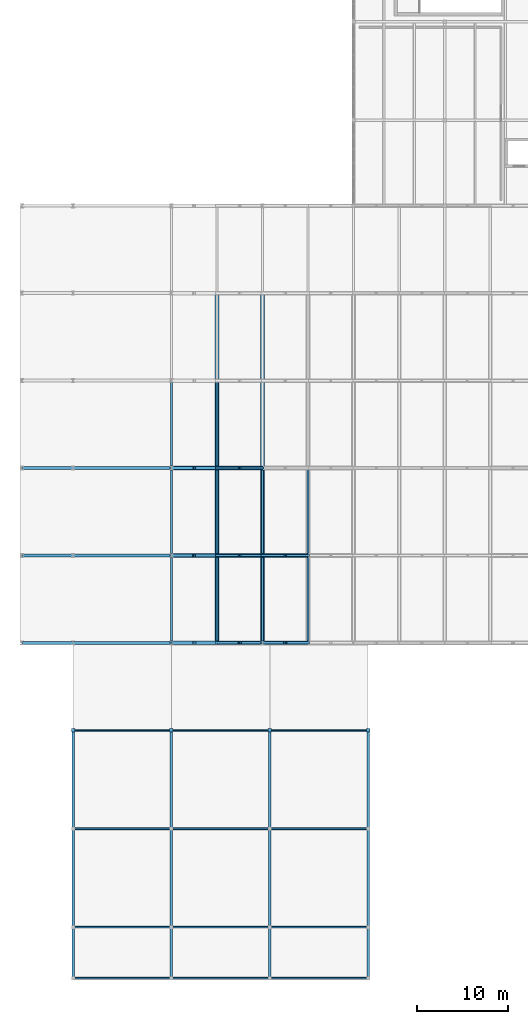
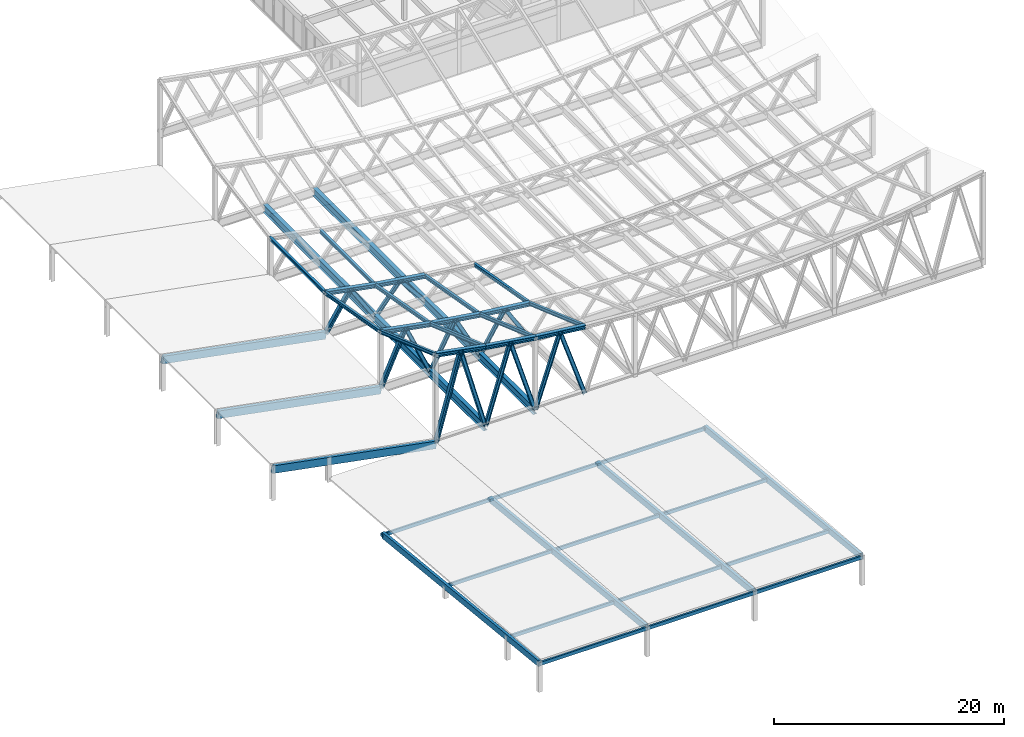
# One storey, part 7 of 40: 53 members, 4 columns, 2 beams, 2 elements without a shape of their own.
"""IFC4 building model written with IfcOpenShell, lengths in metres."""

from ifc_helpers import new_model, si_unit, direction, frame, origin, origin_2d, place, context, subcontext, project, spatial, rectangle, i_section, extrude, material, material_profile, profile_set, type_object, element, aggregate, save


model = new_model("IFC4")

# Units and contexts
model_context = context("Model", 3, precision=1e-05, world=origin(), true_north=direction((0.0, 1.0)))
body_context = subcontext(model_context, "Body", "Model", "MODEL_VIEW")
ifc_project = project(units=[si_unit("LENGTHUNIT", "METRE"), si_unit("AREAUNIT", "SQUARE_METRE"), si_unit("VOLUMEUNIT", "CUBIC_METRE"), si_unit("PLANEANGLEUNIT", "RADIAN"), si_unit("MASSUNIT", "GRAM", prefix="KILO")], contexts=[model_context])

# Site, building, storey
site_placement = place(None, origin())
site = spatial("IfcSite", under=ifc_project, at=site_placement, CompositionType="ELEMENT")
building_placement = place(site_placement, origin())
building = spatial("IfcBuilding", under=site, at=building_placement, Name="Veldera Park Congress Hotel", CompositionType="ELEMENT")
storey_placement = place(building_placement, frame((0.0, 0.0, 16.199951171875)))
storey = spatial("IfcBuildingStorey", under=building, at=storey_placement, Name="L03", CompositionType="ELEMENT", Elevation=16.199951171875)

# Columns
ifc_material_1 = material(Name="Glulam GL28h (NDS 24F-V4)", Category="wood")
ifc_material_profile_1 = material_profile(ifc_material_1, rectangle(XDim=0.389892578125, YDim=0.389892578125, at=origin_2d()), Name="GL28h 390x390")
ifc_profile_set_1 = profile_set([ifc_material_profile_1], Name="Glulam GL28h (NDS 24F-V4)")
column_type = type_object("IfcColumnType", Name="COL-GL36E", PredefinedType="COLUMN", material=ifc_profile_set_1)
for number, where, z_axis, x_axis, name in (
    (1, (-78.199951171875, -30.60009765625, 0.0), (0.0, 0.0, 1.0), (1.0, 0.0, 0.0), "L03 Column COL-GL36E (-78.2,-30.6)"),
    (2, (-67.39990234375, -30.60009765625, 0.0), (0.0, 0.0, 1.0), (1.0, 0.0, 0.0), "L03 Column COL-GL36E (-67.4,-30.6)"),
    (3, (-56.60009765625, -30.60009765625, 0.0), (0.0, 0.0, 1.0), (1.0, 0.0, 0.0), "L03 Column COL-GL36E (-56.6,-30.6)"),
    (4, (-45.800048828125, -30.60009765625, 0.0), (0.0, 0.0, 1.0), (1.0, 0.0, 0.0), "L03 Column COL-GL36E (-45.8,-30.6)"),
):
    element("IfcColumn", number, at=place(storey_placement, frame(where, z_axis=z_axis, x_axis=x_axis)), inside=storey, type_object=column_type, Name=name, PredefinedType="COLUMN", context=body_context, shape_type="SweptSolid", body=[
        extrude(rectangle(XDim=0.389892578125, YDim=0.389892578125, at=origin_2d()), origin(), (0.0, 0.0, 1.0), 0.25),
    ])

# Beams
ifc_material_2 = material(Name="Steel ASTM A992 Gr.50", Category="steel")
ifc_material_profile_2 = material_profile(ifc_material_2, i_section(OverallWidth=0.40087890625, OverallDepth=0.85498046875, WebThickness=0.018310546875, FlangeThickness=0.029296875, at=origin_2d()), Name="W33X201")
ifc_profile_set_2 = profile_set([ifc_material_profile_2], Name="Steel ASTM A992 Gr.50")
beam_type = type_object("IfcBeamType", Name="BM-W33", PredefinedType="BEAM", material=ifc_profile_set_2)
for number, where, z_axis, x_axis, name in (
    (5, (-62.39990234375, -21.0, 0.25), (0.0, 1.0, 0.0), (-1.0, 0.0, 0.0), "Plenary Space Frame Transverse Spine Girder 1"),
    (6, (-57.39990234375, -21.0, 0.25), (0.0, 1.0, 0.0), (-1.0, 0.0, 0.0), "Plenary Space Frame Transverse Spine Girder 2"),
):
    element("IfcBeam", number, at=place(storey_placement, frame(where, z_axis=z_axis, x_axis=x_axis)), inside=storey, type_object=beam_type, Name=name, PredefinedType="BEAM", context=body_context, shape_type="SweptSolid", body=[
        extrude(i_section(OverallWidth=0.40087890625, OverallDepth=0.85498046875, WebThickness=0.018310546875, FlangeThickness=0.029296875, at=origin_2d()), origin(), (0.0, 0.0, 1.0), 38.39990234375),
    ])

# Roof, members
ifc_material_3 = material(Name="Cross-laminated timber CLT V2M1.1", Category="wood")
roof_type_1 = type_object("IfcRoofType", Name="ROOF-BUT", PredefinedType="BUTTERFLY_ROOF", material=ifc_material_3)
roof_1_placement = place(storey_placement, origin())
roof_1 = element("IfcRoof", 7, at=roof_1_placement, inside=storey, type_object=roof_type_1, Name="Biophilic Spa Butterfly Timber Roof", PredefinedType="BUTTERFLY_ROOF")
ifc_material_profile_3 = material_profile(ifc_material_1, rectangle(XDim=0.179931640625, YDim=0.360107421875, at=origin_2d()), Name="GL28h 180x360")
ifc_profile_set_3 = profile_set([ifc_material_profile_3], Name="Glulam GL28h (NDS 24F-V4)")
member_type_1 = type_object("IfcMemberType", Name="PUR-GL360", PredefinedType="PURLIN", material=ifc_profile_set_3)
member_1_placement = place(storey_placement, frame((-78.199951171875, -57.800048828125, 2.900146484375), z_axis=(1.0, 0.0, 0.0), x_axis=(0.0, 1.0, 0.0)))
member_1 = element("IfcMember", 8, at=member_1_placement, type_object=member_type_1, Name="Spa Roof Glulam Purlin 1-57", PredefinedType="PURLIN", context=body_context, shape_type="SweptSolid", body=[
    extrude(rectangle(XDim=0.179931640625, YDim=0.360107421875, at=origin_2d()), origin(), (0.0, 0.0, 1.0), 10.800048828125),
])
member_2_placement = place(storey_placement, frame((-78.199951171875, -52.199951171875, 2.300048828125), z_axis=(1.0, 0.0, 0.0), x_axis=(0.0, 1.0, 0.0)))
member_2 = element("IfcMember", 9, at=member_2_placement, type_object=member_type_1, Name="Spa Roof Glulam Purlin 1-52", PredefinedType="PURLIN", context=body_context, shape_type="SweptSolid", body=[
    extrude(rectangle(XDim=0.179931640625, YDim=0.360107421875, at=origin_2d()), origin(), (0.0, 0.0, 1.0), 10.800048828125),
])
member_3_placement = place(storey_placement, frame((-78.199951171875, -41.39990234375, 1.199951171875), z_axis=(1.0, 0.0, 0.0), x_axis=(0.0, 1.0, 0.0)))
member_3 = element("IfcMember", 10, at=member_3_placement, type_object=member_type_1, Name="Spa Roof Glulam Purlin 1-41", PredefinedType="PURLIN", context=body_context, shape_type="SweptSolid", body=[
    extrude(rectangle(XDim=0.179931640625, YDim=0.360107421875, at=origin_2d()), origin(), (0.0, 0.0, 1.0), 10.800048828125),
])
member_4_placement = place(storey_placement, frame((-78.199951171875, -30.60009765625, 0.10009765625), z_axis=(1.0, 0.0, 0.0), x_axis=(0.0, 1.0, 0.0)))
member_4 = element("IfcMember", 11, at=member_4_placement, type_object=member_type_1, Name="Spa Roof Glulam Purlin 1-30", PredefinedType="PURLIN", context=body_context, shape_type="SweptSolid", body=[
    extrude(rectangle(XDim=0.179931640625, YDim=0.360107421875, at=origin_2d()), origin(), (0.0, 0.0, 1.0), 10.800048828125),
])
member_5_placement = place(storey_placement, frame((-67.39990234375, -57.800048828125, 2.900146484375), z_axis=(1.0, 0.0, 0.0), x_axis=(0.0, 1.0, 0.0)))
member_5 = element("IfcMember", 12, at=member_5_placement, type_object=member_type_1, Name="Spa Roof Glulam Purlin 2-57", PredefinedType="PURLIN", context=body_context, shape_type="SweptSolid", body=[
    extrude(rectangle(XDim=0.179931640625, YDim=0.360107421875, at=origin_2d()), origin(), (0.0, 0.0, 1.0), 10.7998046875),
])
member_6_placement = place(storey_placement, frame((-67.39990234375, -52.199951171875, 2.300048828125), z_axis=(1.0, 0.0, 0.0), x_axis=(0.0, 1.0, 0.0)))
member_6 = element("IfcMember", 13, at=member_6_placement, type_object=member_type_1, Name="Spa Roof Glulam Purlin 2-52", PredefinedType="PURLIN", context=body_context, shape_type="SweptSolid", body=[
    extrude(rectangle(XDim=0.179931640625, YDim=0.360107421875, at=origin_2d()), origin(), (0.0, 0.0, 1.0), 10.7998046875),
])
member_7_placement = place(storey_placement, frame((-67.39990234375, -41.39990234375, 1.199951171875), z_axis=(1.0, 0.0, 0.0), x_axis=(0.0, 1.0, 0.0)))
member_7 = element("IfcMember", 14, at=member_7_placement, type_object=member_type_1, Name="Spa Roof Glulam Purlin 2-41", PredefinedType="PURLIN", context=body_context, shape_type="SweptSolid", body=[
    extrude(rectangle(XDim=0.179931640625, YDim=0.360107421875, at=origin_2d()), origin(), (0.0, 0.0, 1.0), 10.7998046875),
])
member_8_placement = place(storey_placement, frame((-67.39990234375, -30.60009765625, 0.10009765625), z_axis=(1.0, 0.0, 0.0), x_axis=(0.0, 1.0, 0.0)))
member_8 = element("IfcMember", 15, at=member_8_placement, type_object=member_type_1, Name="Spa Roof Glulam Purlin 2-30", PredefinedType="PURLIN", context=body_context, shape_type="SweptSolid", body=[
    extrude(rectangle(XDim=0.179931640625, YDim=0.360107421875, at=origin_2d()), origin(), (0.0, 0.0, 1.0), 10.7998046875),
])
member_9_placement = place(storey_placement, frame((-56.60009765625, -57.800048828125, 2.900146484375), z_axis=(1.0, 0.0, 0.0), x_axis=(0.0, 1.0, 0.0)))
member_9 = element("IfcMember", 16, at=member_9_placement, type_object=member_type_1, Name="Spa Roof Glulam Purlin 3-57", PredefinedType="PURLIN", context=body_context, shape_type="SweptSolid", body=[
    extrude(rectangle(XDim=0.179931640625, YDim=0.360107421875, at=origin_2d()), origin(), (0.0, 0.0, 1.0), 10.800048828125),
])
member_10_placement = place(storey_placement, frame((-56.60009765625, -52.199951171875, 2.300048828125), z_axis=(1.0, 0.0, 0.0), x_axis=(0.0, 1.0, 0.0)))
member_10 = element("IfcMember", 17, at=member_10_placement, type_object=member_type_1, Name="Spa Roof Glulam Purlin 3-52", PredefinedType="PURLIN", context=body_context, shape_type="SweptSolid", body=[
    extrude(rectangle(XDim=0.179931640625, YDim=0.360107421875, at=origin_2d()), origin(), (0.0, 0.0, 1.0), 10.800048828125),
])
member_11_placement = place(storey_placement, frame((-56.60009765625, -41.39990234375, 1.199951171875), z_axis=(1.0, 0.0, 0.0), x_axis=(0.0, 1.0, 0.0)))
member_11 = element("IfcMember", 18, at=member_11_placement, type_object=member_type_1, Name="Spa Roof Glulam Purlin 3-41", PredefinedType="PURLIN", context=body_context, shape_type="SweptSolid", body=[
    extrude(rectangle(XDim=0.179931640625, YDim=0.360107421875, at=origin_2d()), origin(), (0.0, 0.0, 1.0), 10.800048828125),
])
member_12_placement = place(storey_placement, frame((-56.60009765625, -30.60009765625, 0.10009765625), z_axis=(1.0, 0.0, 0.0), x_axis=(0.0, 1.0, 0.0)))
member_12 = element("IfcMember", 19, at=member_12_placement, type_object=member_type_1, Name="Spa Roof Glulam Purlin 3-30", PredefinedType="PURLIN", context=body_context, shape_type="SweptSolid", body=[
    extrude(rectangle(XDim=0.179931640625, YDim=0.360107421875, at=origin_2d()), origin(), (0.0, 0.0, 1.0), 10.800048828125),
])
ifc_material_profile_4 = material_profile(ifc_material_1, rectangle(XDim=0.280029296875, YDim=0.639892578125, at=origin_2d()), Name="GL28h 280x640")
ifc_profile_set_4 = profile_set([ifc_material_profile_4], Name="Glulam GL28h (NDS 24F-V4)")
member_type_2 = type_object("IfcMemberType", Name="RAF-GL640", PredefinedType="RAFTER", material=ifc_profile_set_4)
member_13_placement = place(storey_placement, frame((-78.199951171875, -57.800048828125, 2.949951171875), z_axis=(0.0, 0.99455596321, -0.104203819718), x_axis=(-1.0, 0.0, 0.0)))
member_13 = element("IfcMember", 20, at=member_13_placement, type_object=member_type_2, Name="Spa Butterfly Glulam Rafter 1", PredefinedType="RAFTER", context=body_context, shape_type="SweptSolid", body=[
    extrude(rectangle(XDim=0.280029296875, YDim=0.639892578125, at=origin_2d()), origin(), (0.0, 0.0, 1.0), 27.348876953125),
])
member_14_placement = place(storey_placement, frame((-67.39990234375, -57.800048828125, 2.949951171875), z_axis=(0.0, 0.99455596321, -0.104203819718), x_axis=(-1.0, 0.0, 0.0)))
member_14 = element("IfcMember", 21, at=member_14_placement, type_object=member_type_2, Name="Spa Butterfly Glulam Rafter 2", PredefinedType="RAFTER", context=body_context, shape_type="SweptSolid", body=[
    extrude(rectangle(XDim=0.280029296875, YDim=0.639892578125, at=origin_2d()), origin(), (0.0, 0.0, 1.0), 27.348876953125),
])
member_15_placement = place(storey_placement, frame((-56.60009765625, -57.800048828125, 2.949951171875), z_axis=(0.0, 0.99455596321, -0.104203819718), x_axis=(-1.0, 0.0, 0.0)))
member_15 = element("IfcMember", 22, at=member_15_placement, type_object=member_type_2, Name="Spa Butterfly Glulam Rafter 3", PredefinedType="RAFTER", context=body_context, shape_type="SweptSolid", body=[
    extrude(rectangle(XDim=0.280029296875, YDim=0.639892578125, at=origin_2d()), origin(), (0.0, 0.0, 1.0), 27.348876953125),
])
member_16_placement = place(storey_placement, frame((-45.800048828125, -57.800048828125, 2.949951171875), z_axis=(0.0, 0.99455596321, -0.104203819718), x_axis=(-1.0, 0.0, 0.0)))
member_16 = element("IfcMember", 23, at=member_16_placement, type_object=member_type_2, Name="Spa Butterfly Glulam Rafter 4", PredefinedType="RAFTER", context=body_context, shape_type="SweptSolid", body=[
    extrude(rectangle(XDim=0.280029296875, YDim=0.639892578125, at=origin_2d()), origin(), (0.0, 0.0, 1.0), 27.348876953125),
])
aggregate(roof_1, [member_13, member_14, member_15, member_16, member_1, member_2, member_3, member_4, member_5, member_6, member_7, member_8, member_9, member_10, member_11, member_12])

# Members
ifc_material_profile_5 = material_profile(ifc_material_1, rectangle(XDim=0.31494140625, YDim=0.800048828125, at=origin_2d()), Name="GL28h 315x800")
ifc_profile_set_5 = profile_set([ifc_material_profile_5], Name="Glulam GL28h (NDS 24F-V4)")
member_type_3 = type_object("IfcMemberType", Name="RAF-GL760E", PredefinedType="RAFTER", material=ifc_profile_set_5)
for number, where, z_axis, x_axis, name in (
    (24, (-83.800048828125, -21.0, 3.25), (0.982601714752, 0.0, -0.185725254517), (0.0, 1.0, 0.0), "Plenary West Canopy Rafter 1"),
    (25, (-83.800048828125, -11.39990234375, 3.25), (0.982601714752, 0.0, -0.185725254517), (0.0, 1.0, 0.0), "Plenary West Canopy Rafter 2"),
    (26, (-83.800048828125, -1.800048828125, 3.25), (0.982601714752, 0.0, -0.185725254517), (0.0, 1.0, 0.0), "Plenary West Canopy Rafter 3"),
):
    element("IfcMember", number, at=place(storey_placement, frame(where, z_axis=z_axis, x_axis=x_axis)), inside=storey, type_object=member_type_3, Name=name, PredefinedType="RAFTER", context=body_context, shape_type="SweptSolid", body=[
        extrude(rectangle(XDim=0.31494140625, YDim=0.800048828125, at=origin_2d()), origin(), (0.0, 0.0, 1.0), 16.6904296875),
    ])

# Roof, members
roof_type_2 = type_object("IfcRoofType", Name="ROOF-PAV", PredefinedType="PAVILION_ROOF", material=ifc_material_3)
roof_2_placement = place(storey_placement, origin())
roof_2 = element("IfcRoof", 27, at=roof_2_placement, inside=storey, type_object=roof_type_2, Name="Plenary Congress Pavilion Sweeping Space Frame Roof", PredefinedType="PAVILION_ROOF")
ifc_material_profile_6 = material_profile(ifc_material_2, i_section(OverallWidth=0.39697265625, OverallDepth=0.386962890625, WebThickness=0.02099609375, FlangeThickness=0.033203125, at=origin_2d()), Name="W14X176")
ifc_profile_set_6 = profile_set([ifc_material_profile_6], Name="Steel ASTM A992 Gr.50")
member_type_4 = type_object("IfcMemberType", Name="TR-CHD176", PredefinedType="CHORD", material=ifc_profile_set_6)
member_17_placement = place(storey_placement, frame((-57.39990234375, -21.0, 7.98486328125), z_axis=(0.993731316159, 0.0, -0.111794773068), x_axis=(0.0, 1.0, 0.0)))
member_17 = element("IfcMember", 28, at=member_17_placement, type_object=member_type_4, Name="Plenary Roof Space Frame Top Chord 3", PredefinedType="CHORD", context=body_context, shape_type="SweptSolid", body=[
    extrude(i_section(OverallWidth=0.39697265625, OverallDepth=0.386962890625, WebThickness=0.02099609375, FlangeThickness=0.033203125, at=origin_2d()), origin(), (0.0, 0.0, 1.0), 5.031494140625),
])
member_18_placement = place(storey_placement, frame((-57.39990234375, -11.39990234375, 4.59814453125), z_axis=(0.993731316159, 0.0, -0.111794773068), x_axis=(0.0, 1.0, 0.0)))
member_18 = element("IfcMember", 29, at=member_18_placement, type_object=member_type_4, Name="Plenary Roof Space Frame Top Chord 14", PredefinedType="CHORD", context=body_context, shape_type="SweptSolid", body=[
    extrude(i_section(OverallWidth=0.39697265625, OverallDepth=0.386962890625, WebThickness=0.02099609375, FlangeThickness=0.033203125, at=origin_2d()), origin(), (0.0, 0.0, 1.0), 5.031494140625),
])
ifc_material_profile_7 = material_profile(ifc_material_2, i_section(OverallWidth=0.40087890625, OverallDepth=0.39892578125, WebThickness=0.02490234375, FlangeThickness=0.03955078125, at=origin_2d()), Name="W14X211")
ifc_profile_set_7 = profile_set([ifc_material_profile_7], Name="Steel ASTM A992 Gr.50")
member_type_5 = type_object("IfcMemberType", Name="TR-CHD211", PredefinedType="CHORD", material=ifc_profile_set_7)
member_19_placement = place(storey_placement, frame((-62.39990234375, -21.0, 8.736083984375), z_axis=(0.988900906947, 0.0, -0.148576566927), x_axis=(0.0, 1.0, 0.0)))
member_19 = element("IfcMember", 30, at=member_19_placement, type_object=member_type_5, Name="Plenary Roof Space Frame Top Chord 2", PredefinedType="CHORD", context=body_context, shape_type="SweptSolid", body=[
    extrude(i_section(OverallWidth=0.40087890625, OverallDepth=0.39892578125, WebThickness=0.02490234375, FlangeThickness=0.03955078125, at=origin_2d()), origin(), (0.0, 0.0, 1.0), 5.05615234375),
])
member_20_placement = place(storey_placement, frame((-62.39990234375, -11.39990234375, 5.349365234375), z_axis=(0.988900906947, 0.0, -0.148576566927), x_axis=(0.0, 1.0, 0.0)))
member_20 = element("IfcMember", 31, at=member_20_placement, type_object=member_type_5, Name="Plenary Roof Space Frame Top Chord 13", PredefinedType="CHORD", context=body_context, shape_type="SweptSolid", body=[
    extrude(i_section(OverallWidth=0.40087890625, OverallDepth=0.39892578125, WebThickness=0.02490234375, FlangeThickness=0.03955078125, at=origin_2d()), origin(), (0.0, 0.0, 1.0), 5.05615234375),
])
member_21_placement = place(storey_placement, frame((-62.39990234375, -1.800048828125, 3.65576171875), z_axis=(0.988900906947, 0.0, -0.148576566927), x_axis=(0.0, 1.0, 0.0)))
member_21 = element("IfcMember", 32, at=member_21_placement, type_object=member_type_5, Name="Plenary Roof Space Frame Top Chord 24", PredefinedType="CHORD", context=body_context, shape_type="SweptSolid", body=[
    extrude(i_section(OverallWidth=0.40087890625, OverallDepth=0.39892578125, WebThickness=0.02490234375, FlangeThickness=0.03955078125, at=origin_2d()), origin(), (0.0, 0.0, 1.0), 5.05615234375),
])
ifc_material_profile_8 = material_profile(ifc_material_2, i_section(OverallWidth=0.404052734375, OverallDepth=0.406982421875, WebThickness=0.027099609375, FlangeThickness=0.043701171875, at=origin_2d()), Name="W14X233")
ifc_profile_set_8 = profile_set([ifc_material_profile_8], Name="Steel ASTM A992 Gr.50")
member_type_6 = type_object("IfcMemberType", Name="TR-CHD233", PredefinedType="CHORD", material=ifc_profile_set_8)
member_22_placement = place(storey_placement, frame((-67.39990234375, -21.0, 9.676025390625), z_axis=(0.982785156753, 0.0, -0.184752092456), x_axis=(0.0, 1.0, 0.0)))
member_22 = element("IfcMember", 33, at=member_22_placement, type_object=member_type_6, Name="Plenary Roof Space Frame Top Chord 1", PredefinedType="CHORD", context=body_context, shape_type="SweptSolid", body=[
    extrude(i_section(OverallWidth=0.404052734375, OverallDepth=0.406982421875, WebThickness=0.027099609375, FlangeThickness=0.043701171875, at=origin_2d()), origin(), (0.0, 0.0, 1.0), 5.087646484375),
])
member_23_placement = place(storey_placement, frame((-67.39990234375, -11.39990234375, 6.2890625), z_axis=(0.982793868915, 0.0, -0.184705742258), x_axis=(0.0, 1.0, 0.0)))
member_23 = element("IfcMember", 34, at=member_23_placement, type_object=member_type_6, Name="Plenary Roof Space Frame Top Chord 12", PredefinedType="CHORD", context=body_context, shape_type="SweptSolid", body=[
    extrude(i_section(OverallWidth=0.404052734375, OverallDepth=0.406982421875, WebThickness=0.027099609375, FlangeThickness=0.043701171875, at=origin_2d()), origin(), (0.0, 0.0, 1.0), 5.087646484375),
])
member_24_placement = place(storey_placement, frame((-67.39990234375, -1.800048828125, 4.595703125), z_axis=(0.982785156753, 0.0, -0.184752092456), x_axis=(0.0, 1.0, 0.0)))
member_24 = element("IfcMember", 35, at=member_24_placement, type_object=member_type_6, Name="Plenary Roof Space Frame Top Chord 23", PredefinedType="CHORD", context=body_context, shape_type="SweptSolid", body=[
    extrude(i_section(OverallWidth=0.404052734375, OverallDepth=0.406982421875, WebThickness=0.027099609375, FlangeThickness=0.043701171875, at=origin_2d()), origin(), (0.0, 0.0, 1.0), 5.087646484375),
])
ifc_material_profile_9 = material_profile(ifc_material_2, i_section(OverallWidth=0.25390625, OverallDepth=0.35595703125, WebThickness=0.010498046875, FlangeThickness=0.018310546875, at=origin_2d()), Name="W14X68")
ifc_profile_set_9 = profile_set([ifc_material_profile_9], Name="Steel ASTM A992 Gr.50")
member_type_7 = type_object("IfcMemberType", Name="TR-WEB68", PredefinedType="MEMBER", material=ifc_profile_set_9)
member_25_placement = place(storey_placement, frame((-57.39990234375, -21.0, 0.25), z_axis=(0.317997317816, 0.0, 0.948091612589), x_axis=(0.0, 1.0, 0.0)))
member_25 = element("IfcMember", 36, at=member_25_placement, type_object=member_type_7, Name="Plenary Roof Space Frame Web A 3", PredefinedType="MEMBER", context=body_context, shape_type="SweptSolid", body=[
    extrude(i_section(OverallWidth=0.25390625, OverallDepth=0.35595703125, WebThickness=0.010498046875, FlangeThickness=0.018310546875, at=origin_2d()), origin(), (0.0, 0.0, 1.0), 7.86181640625),
])
member_26_placement = place(storey_placement, frame((-52.39990234375, -21.0, 0.25), z_axis=(-0.317997317816, 0.0, 0.948091612589), x_axis=(0.0, -1.0, 0.0)))
member_26 = element("IfcMember", 37, at=member_26_placement, type_object=member_type_7, Name="Plenary Roof Space Frame Web B 3", PredefinedType="MEMBER", context=body_context, shape_type="SweptSolid", body=[
    extrude(i_section(OverallWidth=0.25390625, OverallDepth=0.35595703125, WebThickness=0.010498046875, FlangeThickness=0.018310546875, at=origin_2d()), origin(), (0.0, 0.0, 1.0), 7.86181640625),
])
member_27_placement = place(storey_placement, frame((-57.39990234375, -11.39990234375, 0.25), z_axis=(0.523709295361, 0.0, 0.851897044221), x_axis=(0.0, 1.0, 0.0)))
member_27 = element("IfcMember", 38, at=member_27_placement, type_object=member_type_7, Name="Plenary Roof Space Frame Web A 14", PredefinedType="MEMBER", context=body_context, shape_type="SweptSolid", body=[
    extrude(i_section(OverallWidth=0.25390625, OverallDepth=0.35595703125, WebThickness=0.010498046875, FlangeThickness=0.018310546875, at=origin_2d()), origin(), (0.0, 0.0, 1.0), 4.773681640625),
])
member_28_placement = place(storey_placement, frame((-52.39990234375, -11.39990234375, 0.25), z_axis=(-0.523709295361, 0.0, 0.851897044221), x_axis=(0.0, -1.0, 0.0)))
member_28 = element("IfcMember", 39, at=member_28_placement, type_object=member_type_7, Name="Plenary Roof Space Frame Web B 14", PredefinedType="MEMBER", context=body_context, shape_type="SweptSolid", body=[
    extrude(i_section(OverallWidth=0.25390625, OverallDepth=0.35595703125, WebThickness=0.010498046875, FlangeThickness=0.018310546875, at=origin_2d()), origin(), (0.0, 0.0, 1.0), 4.773681640625),
])
member_29_placement = place(storey_placement, frame((-67.39990234375, -21.0, 9.676025390625), z_axis=(0.0, 0.943030616878, -0.332705959716), x_axis=(-1.0, 0.0, 0.0)))
member_29 = element("IfcMember", 40, at=member_29_placement, type_object=member_type_7, Name="Plenary Space Frame Cross Chord 67", PredefinedType="MEMBER", context=body_context, shape_type="SweptSolid", body=[
    extrude(i_section(OverallWidth=0.25390625, OverallDepth=0.35595703125, WebThickness=0.010498046875, FlangeThickness=0.018310546875, at=origin_2d()), origin(), (0.0, 0.0, 1.0), 10.179931640625),
])
member_30_placement = place(storey_placement, frame((-67.39990234375, -11.39990234375, 6.2890625), z_axis=(0.0, 0.984796414822, -0.173712467465), x_axis=(-1.0, 0.0, 0.0)))
member_30 = element("IfcMember", 41, at=member_30_placement, type_object=member_type_7, Name="Plenary Space Frame Cross Chord 68", PredefinedType="MEMBER", context=body_context, shape_type="SweptSolid", body=[
    extrude(i_section(OverallWidth=0.25390625, OverallDepth=0.35595703125, WebThickness=0.010498046875, FlangeThickness=0.018310546875, at=origin_2d()), origin(), (0.0, 0.0, 1.0), 9.748046875),
])
member_31_placement = place(storey_placement, frame((-67.39990234375, -1.800048828125, 4.595703125), z_axis=(0.0, 1.0, 0.0), x_axis=(-1.0, 0.0, 0.0)))
member_31 = element("IfcMember", 42, at=member_31_placement, type_object=member_type_7, Name="Plenary Space Frame Cross Chord 69", PredefinedType="MEMBER", context=body_context, shape_type="SweptSolid", body=[
    extrude(i_section(OverallWidth=0.25390625, OverallDepth=0.35595703125, WebThickness=0.010498046875, FlangeThickness=0.018310546875, at=origin_2d()), origin(), (0.0, 0.0, 1.0), 9.60009765625),
])
member_32_placement = place(storey_placement, frame((-62.39990234375, -21.0, 8.736083984375), z_axis=(0.0, 0.943038141178, -0.332684631871), x_axis=(-1.0, 0.0, 0.0)))
member_32 = element("IfcMember", 43, at=member_32_placement, type_object=member_type_7, Name="Plenary Space Frame Cross Chord 72", PredefinedType="MEMBER", context=body_context, shape_type="SweptSolid", body=[
    extrude(i_section(OverallWidth=0.25390625, OverallDepth=0.35595703125, WebThickness=0.010498046875, FlangeThickness=0.018310546875, at=origin_2d()), origin(), (0.0, 0.0, 1.0), 10.179931640625),
])
member_33_placement = place(storey_placement, frame((-62.39990234375, -11.39990234375, 5.349365234375), z_axis=(0.0, 0.984792130049, -0.173736756597), x_axis=(-1.0, 0.0, 0.0)))
member_33 = element("IfcMember", 44, at=member_33_placement, type_object=member_type_7, Name="Plenary Space Frame Cross Chord 73", PredefinedType="MEMBER", context=body_context, shape_type="SweptSolid", body=[
    extrude(i_section(OverallWidth=0.25390625, OverallDepth=0.35595703125, WebThickness=0.010498046875, FlangeThickness=0.018310546875, at=origin_2d()), origin(), (0.0, 0.0, 1.0), 9.748046875),
])
member_34_placement = place(storey_placement, frame((-62.39990234375, -1.800048828125, 3.65576171875), z_axis=(0.0, 1.0, 0.0), x_axis=(-1.0, 0.0, 0.0)))
member_34 = element("IfcMember", 45, at=member_34_placement, type_object=member_type_7, Name="Plenary Space Frame Cross Chord 74", PredefinedType="MEMBER", context=body_context, shape_type="SweptSolid", body=[
    extrude(i_section(OverallWidth=0.25390625, OverallDepth=0.35595703125, WebThickness=0.010498046875, FlangeThickness=0.018310546875, at=origin_2d()), origin(), (0.0, 0.0, 1.0), 9.60009765625),
])
member_35_placement = place(storey_placement, frame((-57.39990234375, -21.0, 7.98486328125), z_axis=(0.0, 0.943038141178, -0.332684631871), x_axis=(-1.0, 0.0, 0.0)))
member_35 = element("IfcMember", 46, at=member_35_placement, type_object=member_type_7, Name="Plenary Space Frame Cross Chord 77", PredefinedType="MEMBER", context=body_context, shape_type="SweptSolid", body=[
    extrude(i_section(OverallWidth=0.25390625, OverallDepth=0.35595703125, WebThickness=0.010498046875, FlangeThickness=0.018310546875, at=origin_2d()), origin(), (0.0, 0.0, 1.0), 10.179931640625),
])
member_36_placement = place(storey_placement, frame((-57.39990234375, -11.39990234375, 4.59814453125), z_axis=(0.0, 0.984792130049, -0.173736756597), x_axis=(-1.0, 0.0, 0.0)))
member_36 = element("IfcMember", 47, at=member_36_placement, type_object=member_type_7, Name="Plenary Space Frame Cross Chord 78", PredefinedType="MEMBER", context=body_context, shape_type="SweptSolid", body=[
    extrude(i_section(OverallWidth=0.25390625, OverallDepth=0.35595703125, WebThickness=0.010498046875, FlangeThickness=0.018310546875, at=origin_2d()), origin(), (0.0, 0.0, 1.0), 9.748046875),
])
member_37_placement = place(storey_placement, frame((-52.39990234375, -21.0, 7.42236328125), z_axis=(0.0, 0.943038141178, -0.332684631871), x_axis=(-1.0, 0.0, 0.0)))
member_37 = element("IfcMember", 48, at=member_37_placement, type_object=member_type_7, Name="Plenary Space Frame Cross Chord 82", PredefinedType="MEMBER", context=body_context, shape_type="SweptSolid", body=[
    extrude(i_section(OverallWidth=0.25390625, OverallDepth=0.35595703125, WebThickness=0.010498046875, FlangeThickness=0.018310546875, at=origin_2d()), origin(), (0.0, 0.0, 1.0), 10.179931640625),
])
member_38_placement = place(storey_placement, frame((-52.39990234375, -11.39990234375, 4.03564453125), z_axis=(0.0, 0.984792130049, -0.173736756597), x_axis=(-1.0, 0.0, 0.0)))
member_38 = element("IfcMember", 49, at=member_38_placement, type_object=member_type_7, Name="Plenary Space Frame Cross Chord 83", PredefinedType="MEMBER", context=body_context, shape_type="SweptSolid", body=[
    extrude(i_section(OverallWidth=0.25390625, OverallDepth=0.35595703125, WebThickness=0.010498046875, FlangeThickness=0.018310546875, at=origin_2d()), origin(), (0.0, 0.0, 1.0), 9.748046875),
])
ifc_material_profile_10 = material_profile(ifc_material_2, i_section(OverallWidth=0.257080078125, OverallDepth=0.363037109375, WebThickness=0.012939453125, FlangeThickness=0.021728515625, at=origin_2d()), Name="W14X82")
ifc_profile_set_10 = profile_set([ifc_material_profile_10], Name="Steel ASTM A992 Gr.50")
member_type_8 = type_object("IfcMemberType", Name="TR-WEB82", PredefinedType="MEMBER", material=ifc_profile_set_10)
member_39_placement = place(storey_placement, frame((-62.39990234375, -21.0, 0.25), z_axis=(0.294570957377, 0.0, 0.955629609771), x_axis=(0.0, 1.0, 0.0)))
member_39 = element("IfcMember", 50, at=member_39_placement, type_object=member_type_8, Name="Plenary Roof Space Frame Web A 2", PredefinedType="MEMBER", context=body_context, shape_type="SweptSolid", body=[
    extrude(i_section(OverallWidth=0.257080078125, OverallDepth=0.363037109375, WebThickness=0.012939453125, FlangeThickness=0.021728515625, at=origin_2d()), origin(), (0.0, 0.0, 1.0), 8.48681640625),
])
member_40_placement = place(storey_placement, frame((-57.39990234375, -21.0, 0.25), z_axis=(-0.294570957377, 0.0, 0.955629609771), x_axis=(0.0, -1.0, 0.0)))
member_40 = element("IfcMember", 51, at=member_40_placement, type_object=member_type_8, Name="Plenary Roof Space Frame Web B 2", PredefinedType="MEMBER", context=body_context, shape_type="SweptSolid", body=[
    extrude(i_section(OverallWidth=0.257080078125, OverallDepth=0.363037109375, WebThickness=0.012939453125, FlangeThickness=0.021728515625, at=origin_2d()), origin(), (0.0, 0.0, 1.0), 8.48681640625),
])
member_41_placement = place(storey_placement, frame((-62.39990234375, -11.39990234375, 0.25), z_axis=(0.467778575102, 0.0, 0.883845690534), x_axis=(0.0, 1.0, 0.0)))
member_41 = element("IfcMember", 52, at=member_41_placement, type_object=member_type_8, Name="Plenary Roof Space Frame Web A 13", PredefinedType="MEMBER", context=body_context, shape_type="SweptSolid", body=[
    extrude(i_section(OverallWidth=0.257080078125, OverallDepth=0.363037109375, WebThickness=0.012939453125, FlangeThickness=0.021728515625, at=origin_2d()), origin(), (0.0, 0.0, 1.0), 5.344482421875),
])
member_42_placement = place(storey_placement, frame((-57.39990234375, -11.39990234375, 0.25), z_axis=(-0.467778575102, 0.0, 0.883845690534), x_axis=(0.0, -1.0, 0.0)))
member_42 = element("IfcMember", 53, at=member_42_placement, type_object=member_type_8, Name="Plenary Roof Space Frame Web B 13", PredefinedType="MEMBER", context=body_context, shape_type="SweptSolid", body=[
    extrude(i_section(OverallWidth=0.257080078125, OverallDepth=0.363037109375, WebThickness=0.012939453125, FlangeThickness=0.021728515625, at=origin_2d()), origin(), (0.0, 0.0, 1.0), 5.344482421875),
])
member_43_placement = place(storey_placement, frame((-62.39990234375, -1.800048828125, 0.25), z_axis=(0.636417161001, 0.0, 0.771345057146), x_axis=(0.0, 1.0, 0.0)))
member_43 = element("IfcMember", 54, at=member_43_placement, type_object=member_type_8, Name="Plenary Roof Space Frame Web A 24", PredefinedType="MEMBER", context=body_context, shape_type="SweptSolid", body=[
    extrude(i_section(OverallWidth=0.257080078125, OverallDepth=0.363037109375, WebThickness=0.012939453125, FlangeThickness=0.021728515625, at=origin_2d()), origin(), (0.0, 0.0, 1.0), 3.92822265625),
])
member_44_placement = place(storey_placement, frame((-57.39990234375, -1.800048828125, 0.25), z_axis=(-0.636417161001, 0.0, 0.771345057146), x_axis=(0.0, -1.0, 0.0)))
member_44 = element("IfcMember", 55, at=member_44_placement, type_object=member_type_8, Name="Plenary Roof Space Frame Web B 24", PredefinedType="MEMBER", context=body_context, shape_type="SweptSolid", body=[
    extrude(i_section(OverallWidth=0.257080078125, OverallDepth=0.363037109375, WebThickness=0.012939453125, FlangeThickness=0.021728515625, at=origin_2d()), origin(), (0.0, 0.0, 1.0), 3.92822265625),
])
ifc_material_profile_11 = material_profile(ifc_material_2, i_section(OverallWidth=0.368896484375, OverallDepth=0.35595703125, WebThickness=0.01123046875, FlangeThickness=0.01806640625, at=origin_2d()), Name="W14X90")
ifc_profile_set_11 = profile_set([ifc_material_profile_11], Name="Steel ASTM A992 Gr.50")
member_type_9 = type_object("IfcMemberType", Name="TR-WEB90", PredefinedType="MEMBER", material=ifc_profile_set_11)
member_45_placement = place(storey_placement, frame((-67.39990234375, -21.0, 0.25), z_axis=(0.268862413971, 0.0, 0.963178593177), x_axis=(0.0, 1.0, 0.0)))
member_45 = element("IfcMember", 56, at=member_45_placement, type_object=member_type_9, Name="Plenary Roof Space Frame Web A 1", PredefinedType="MEMBER", context=body_context, shape_type="SweptSolid", body=[
    extrude(i_section(OverallWidth=0.368896484375, OverallDepth=0.35595703125, WebThickness=0.01123046875, FlangeThickness=0.01806640625, at=origin_2d()), origin(), (0.0, 0.0, 1.0), 9.29833984375),
])
member_46_placement = place(storey_placement, frame((-62.39990234375, -21.0, 0.25), z_axis=(-0.268862413971, 0.0, 0.963178593177), x_axis=(0.0, -1.0, 0.0)))
member_46 = element("IfcMember", 57, at=member_46_placement, type_object=member_type_9, Name="Plenary Roof Space Frame Web B 1", PredefinedType="MEMBER", context=body_context, shape_type="SweptSolid", body=[
    extrude(i_section(OverallWidth=0.368896484375, OverallDepth=0.35595703125, WebThickness=0.01123046875, FlangeThickness=0.01806640625, at=origin_2d()), origin(), (0.0, 0.0, 1.0), 9.29833984375),
])
member_47_placement = place(storey_placement, frame((-67.39990234375, -11.39990234375, 0.25), z_axis=(0.409534702113, 0.0, 0.912294540028), x_axis=(0.0, 1.0, 0.0)))
member_47 = element("IfcMember", 58, at=member_47_placement, type_object=member_type_9, Name="Plenary Roof Space Frame Web A 12", PredefinedType="MEMBER", context=body_context, shape_type="SweptSolid", body=[
    extrude(i_section(OverallWidth=0.368896484375, OverallDepth=0.35595703125, WebThickness=0.01123046875, FlangeThickness=0.01806640625, at=origin_2d()), origin(), (0.0, 0.0, 1.0), 6.1044921875),
])
member_48_placement = place(storey_placement, frame((-62.39990234375, -11.39990234375, 0.25), z_axis=(-0.409534702113, 0.0, 0.912294540028), x_axis=(0.0, -1.0, 0.0)))
member_48 = element("IfcMember", 59, at=member_48_placement, type_object=member_type_9, Name="Plenary Roof Space Frame Web B 12", PredefinedType="MEMBER", context=body_context, shape_type="SweptSolid", body=[
    extrude(i_section(OverallWidth=0.368896484375, OverallDepth=0.35595703125, WebThickness=0.01123046875, FlangeThickness=0.01806640625, at=origin_2d()), origin(), (0.0, 0.0, 1.0), 6.1044921875),
])
member_49_placement = place(storey_placement, frame((-67.39990234375, -1.800048828125, 0.25), z_axis=(0.542054524593, 0.0, 0.840343318155), x_axis=(0.0, 1.0, 0.0)))
member_49 = element("IfcMember", 60, at=member_49_placement, type_object=member_type_9, Name="Plenary Roof Space Frame Web A 23", PredefinedType="MEMBER", context=body_context, shape_type="SweptSolid", body=[
    extrude(i_section(OverallWidth=0.368896484375, OverallDepth=0.35595703125, WebThickness=0.01123046875, FlangeThickness=0.01806640625, at=origin_2d()), origin(), (0.0, 0.0, 1.0), 4.612060546875),
])
member_50_placement = place(storey_placement, frame((-62.39990234375, -1.800048828125, 0.25), z_axis=(-0.542054524593, 0.0, 0.840343318155), x_axis=(0.0, -1.0, 0.0)))
member_50 = element("IfcMember", 61, at=member_50_placement, type_object=member_type_9, Name="Plenary Roof Space Frame Web B 23", PredefinedType="MEMBER", context=body_context, shape_type="SweptSolid", body=[
    extrude(i_section(OverallWidth=0.368896484375, OverallDepth=0.35595703125, WebThickness=0.01123046875, FlangeThickness=0.01806640625, at=origin_2d()), origin(), (0.0, 0.0, 1.0), 4.612060546875),
])
aggregate(roof_2, [member_45, member_46, member_22, member_39, member_40, member_19, member_25, member_26, member_17, member_47, member_48, member_23, member_41, member_42, member_20, member_27, member_28, member_18, member_49, member_50, member_24, member_43, member_44, member_21, member_29, member_30, member_31, member_32, member_33, member_34, member_35, member_36, member_37, member_38])

save(model, "model.ifc")
